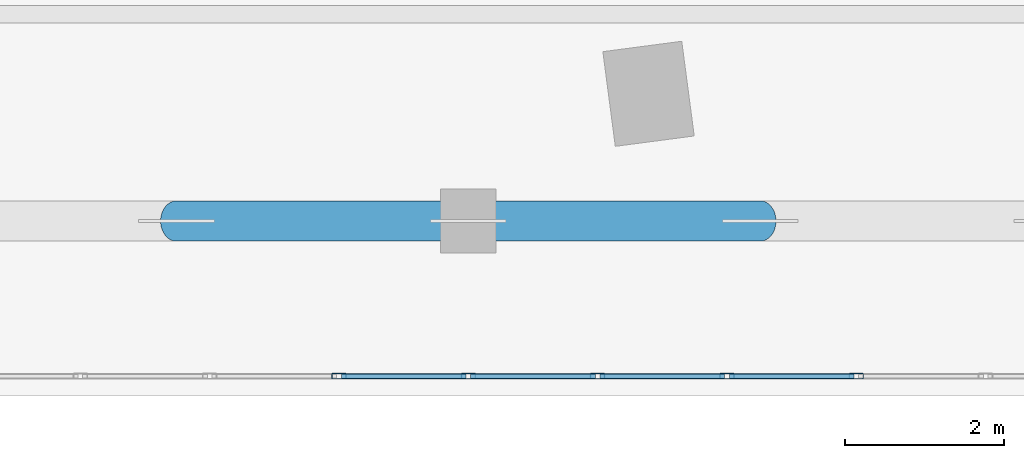
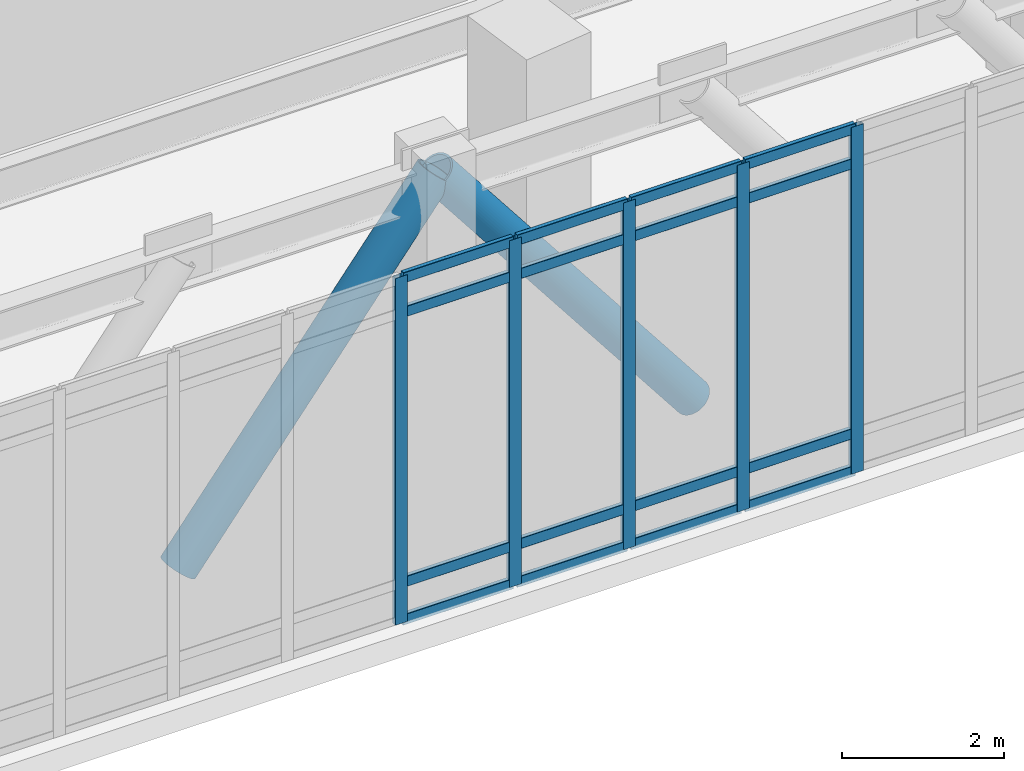
# One storey, part 4 of 19: 23 members, 1 element without a shape of its own.
"""IFC4 building model written with IfcOpenShell, lengths in metres."""

from ifc_helpers import new_model, si_unit, direction, frame, origin, origin_2d, place, context, subcontext, project, spatial, hollow_rectangle, hollow_circle, extrude, material, layer, layer_set, material_profile, profile_set, type_object, element, aggregate, save


model = new_model("IFC4")

# Units and contexts
model_context = context("Model", 3, precision=1e-05, world=origin(), true_north=direction((0.0, 1.0)))
body_context = subcontext(model_context, "Body", "Model", "MODEL_VIEW")
ifc_project = project(units=[si_unit("LENGTHUNIT", "METRE"), si_unit("AREAUNIT", "SQUARE_METRE"), si_unit("VOLUMEUNIT", "CUBIC_METRE"), si_unit("PLANEANGLEUNIT", "RADIAN"), si_unit("MASSUNIT", "GRAM", prefix="KILO")], contexts=[model_context])

# Site, building, storey
site_placement = place(None, origin())
site = spatial("IfcSite", under=ifc_project, at=site_placement, CompositionType="ELEMENT")
building_placement = place(site_placement, origin())
building = spatial("IfcBuilding", under=site, at=building_placement, Name="Ndelora Gate Hotel", CompositionType="ELEMENT")
storey_placement = place(building_placement, frame((0.0, 0.0, 16.0)))
storey = spatial("IfcBuildingStorey", under=building, at=storey_placement, Name="L03", CompositionType="ELEMENT", Elevation=16.0)

# Curtain wall, members
ifc_material_1 = material(Name="Bronze Anodised Unitised Aluminium and Low-E Glass", Category="aluminium")
ifc_layer = layer(ifc_material_1, 0.219970703125)
ifc_layer_set = layer_set([ifc_layer], Name="Bronze Anodised Unitised Aluminium and Low-E Glass")
curtain_wall_type = type_object("IfcCurtainWallType", Name="CW-SYS-2", PredefinedType="NOTDEFINED", material=ifc_layer_set)
curtain_wall_placement = place(storey_placement, origin())
curtain_wall = element("IfcCurtainWall", 1, at=curtain_wall_placement, inside=storey, type_object=curtain_wall_type, Name="L03 South Podium Foyer Curtain Wall CW2", PredefinedType="NOTDEFINED")
ifc_material_2 = material(Name="Bronze Anodised Aluminium 6063-T6", Category="aluminium")
ifc_material_profile_1 = material_profile(ifc_material_2, hollow_rectangle(XDim=0.070068359375, YDim=0.179931640625, WallThickness=0.0048828125, InnerFilletRadius=0.0048828125, OuterFilletRadius=0.010009765625, at=origin_2d()), Name="ALU 180x70x5")
ifc_profile_set_1 = profile_set([ifc_material_profile_1], Name="Bronze Anodised Aluminium 6063-T6")
member_type_1 = type_object("IfcMemberType", Name="MB-CW-MUL180", PredefinedType="MULLION", material=ifc_profile_set_1)
member_1_placement = place(storey_placement, frame((-1.625, -20.75, -0.00390625), z_axis=(0.0, 0.0, 1.0), x_axis=(0.0, 1.0, 0.0)))
member_1 = element("IfcMember", 2, at=member_1_placement, type_object=member_type_1, Name="CW2 mullion 6", PredefinedType="MULLION", context=body_context, shape_type="SweptSolid", body=[
    extrude(hollow_rectangle(XDim=0.070068359375, YDim=0.179931640625, WallThickness=0.0048828125, InnerFilletRadius=0.0048828125, OuterFilletRadius=0.010009765625, at=origin_2d()), origin(), (0.0, 0.0, 1.0), 5.22802734375),
])
member_2_placement = place(storey_placement, frame((0.0, -20.75, -0.00390625), z_axis=(0.0, 0.0, 1.0), x_axis=(0.0, 1.0, 0.0)))
member_2 = element("IfcMember", 3, at=member_2_placement, type_object=member_type_1, Name="CW2 mullion 7", PredefinedType="MULLION", context=body_context, shape_type="SweptSolid", body=[
    extrude(hollow_rectangle(XDim=0.070068359375, YDim=0.179931640625, WallThickness=0.0048828125, InnerFilletRadius=0.0048828125, OuterFilletRadius=0.010009765625, at=origin_2d()), origin(), (0.0, 0.0, 1.0), 5.22802734375),
])
member_3_placement = place(storey_placement, frame((1.625, -20.75, -0.00390625), z_axis=(0.0, 0.0, 1.0), x_axis=(0.0, 1.0, 0.0)))
member_3 = element("IfcMember", 4, at=member_3_placement, type_object=member_type_1, Name="CW2 mullion 8", PredefinedType="MULLION", context=body_context, shape_type="SweptSolid", body=[
    extrude(hollow_rectangle(XDim=0.070068359375, YDim=0.179931640625, WallThickness=0.0048828125, InnerFilletRadius=0.0048828125, OuterFilletRadius=0.010009765625, at=origin_2d()), origin(), (0.0, 0.0, 1.0), 5.22802734375),
])
member_4_placement = place(storey_placement, frame((3.25, -20.75, -0.00390625), z_axis=(0.0, 0.0, 1.0), x_axis=(0.0, 1.0, 0.0)))
member_4 = element("IfcMember", 5, at=member_4_placement, type_object=member_type_1, Name="CW2 mullion 9", PredefinedType="MULLION", context=body_context, shape_type="SweptSolid", body=[
    extrude(hollow_rectangle(XDim=0.070068359375, YDim=0.179931640625, WallThickness=0.0048828125, InnerFilletRadius=0.0048828125, OuterFilletRadius=0.010009765625, at=origin_2d()), origin(), (0.0, 0.0, 1.0), 5.22802734375),
])
member_5_placement = place(storey_placement, frame((4.875, -20.75, -0.00390625), z_axis=(0.0, 0.0, 1.0), x_axis=(0.0, 1.0, 0.0)))
member_5 = element("IfcMember", 6, at=member_5_placement, type_object=member_type_1, Name="CW2 mullion 10", PredefinedType="MULLION", context=body_context, shape_type="SweptSolid", body=[
    extrude(hollow_rectangle(XDim=0.070068359375, YDim=0.179931640625, WallThickness=0.0048828125, InnerFilletRadius=0.0048828125, OuterFilletRadius=0.010009765625, at=origin_2d()), origin(), (0.0, 0.0, 1.0), 5.22802734375),
])
ifc_material_profile_2 = material_profile(ifc_material_2, hollow_rectangle(XDim=0.06494140625, YDim=0.159912109375, WallThickness=0.00390625, InnerFilletRadius=0.00390625, OuterFilletRadius=0.008056640625, at=origin_2d()), Name="ALU 160x65x4")
ifc_profile_set_2 = profile_set([ifc_material_profile_2], Name="Bronze Anodised Aluminium 6063-T6")
member_type_2 = type_object("IfcMemberType", Name="MB-CW-TRN150", PredefinedType="USERDEFINED", material=ifc_profile_set_2)
member_6_placement = place(storey_placement, frame((-1.595947265625, -20.75, 0.032470703125), z_axis=(1.0, 0.0, 0.0), x_axis=(0.0, 1.0, 0.0)))
member_6 = element("IfcMember", 7, at=member_6_placement, type_object=member_type_2, Name="CW2 transom 6.1", ObjectType="TRANSOM", PredefinedType="USERDEFINED", context=body_context, shape_type="SweptSolid", body=[
    extrude(hollow_rectangle(XDim=0.06494140625, YDim=0.159912109375, WallThickness=0.00390625, InnerFilletRadius=0.00390625, OuterFilletRadius=0.008056640625, at=origin_2d()), origin(), (0.0, 0.0, 1.0), 1.56689453125),
])
member_7_placement = place(storey_placement, frame((-1.595947265625, -20.75, 0.60009765625), z_axis=(1.0, 0.0, 0.0), x_axis=(0.0, 1.0, 0.0)))
member_7 = element("IfcMember", 8, at=member_7_placement, type_object=member_type_2, Name="CW2 transom 6.2", ObjectType="TRANSOM", PredefinedType="USERDEFINED", context=body_context, shape_type="SweptSolid", body=[
    extrude(hollow_rectangle(XDim=0.06494140625, YDim=0.159912109375, WallThickness=0.00390625, InnerFilletRadius=0.00390625, OuterFilletRadius=0.008056640625, at=origin_2d()), origin(), (0.0, 0.0, 1.0), 1.56689453125),
])
member_8_placement = place(storey_placement, frame((-1.595947265625, -20.75, 4.669921875), z_axis=(1.0, 0.0, 0.0), x_axis=(0.0, 1.0, 0.0)))
member_8 = element("IfcMember", 9, at=member_8_placement, type_object=member_type_2, Name="CW2 transom 6.3", ObjectType="TRANSOM", PredefinedType="USERDEFINED", context=body_context, shape_type="SweptSolid", body=[
    extrude(hollow_rectangle(XDim=0.06494140625, YDim=0.159912109375, WallThickness=0.00390625, InnerFilletRadius=0.00390625, OuterFilletRadius=0.008056640625, at=origin_2d()), origin(), (0.0, 0.0, 1.0), 1.56689453125),
])
member_9_placement = place(storey_placement, frame((-1.595947265625, -20.75, 5.1875), z_axis=(1.0, 0.0, 0.0), x_axis=(0.0, 1.0, 0.0)))
member_9 = element("IfcMember", 10, at=member_9_placement, type_object=member_type_2, Name="CW2 transom 6.4", ObjectType="TRANSOM", PredefinedType="USERDEFINED", context=body_context, shape_type="SweptSolid", body=[
    extrude(hollow_rectangle(XDim=0.06494140625, YDim=0.159912109375, WallThickness=0.00390625, InnerFilletRadius=0.00390625, OuterFilletRadius=0.008056640625, at=origin_2d()), origin(), (0.0, 0.0, 1.0), 1.56689453125),
])
member_10_placement = place(storey_placement, frame((0.029052734375, -20.75, 0.032470703125), z_axis=(1.0, 0.0, 0.0), x_axis=(0.0, 1.0, 0.0)))
member_10 = element("IfcMember", 11, at=member_10_placement, type_object=member_type_2, Name="CW2 transom 7.1", ObjectType="TRANSOM", PredefinedType="USERDEFINED", context=body_context, shape_type="SweptSolid", body=[
    extrude(hollow_rectangle(XDim=0.06494140625, YDim=0.159912109375, WallThickness=0.00390625, InnerFilletRadius=0.00390625, OuterFilletRadius=0.008056640625, at=origin_2d()), origin(), (0.0, 0.0, 1.0), 1.56689453125),
])
member_11_placement = place(storey_placement, frame((0.029052734375, -20.75, 0.60009765625), z_axis=(1.0, 0.0, 0.0), x_axis=(0.0, 1.0, 0.0)))
member_11 = element("IfcMember", 12, at=member_11_placement, type_object=member_type_2, Name="CW2 transom 7.2", ObjectType="TRANSOM", PredefinedType="USERDEFINED", context=body_context, shape_type="SweptSolid", body=[
    extrude(hollow_rectangle(XDim=0.06494140625, YDim=0.159912109375, WallThickness=0.00390625, InnerFilletRadius=0.00390625, OuterFilletRadius=0.008056640625, at=origin_2d()), origin(), (0.0, 0.0, 1.0), 1.56689453125),
])
member_12_placement = place(storey_placement, frame((0.029052734375, -20.75, 4.669921875), z_axis=(1.0, 0.0, 0.0), x_axis=(0.0, 1.0, 0.0)))
member_12 = element("IfcMember", 13, at=member_12_placement, type_object=member_type_2, Name="CW2 transom 7.3", ObjectType="TRANSOM", PredefinedType="USERDEFINED", context=body_context, shape_type="SweptSolid", body=[
    extrude(hollow_rectangle(XDim=0.06494140625, YDim=0.159912109375, WallThickness=0.00390625, InnerFilletRadius=0.00390625, OuterFilletRadius=0.008056640625, at=origin_2d()), origin(), (0.0, 0.0, 1.0), 1.56689453125),
])
member_13_placement = place(storey_placement, frame((0.029052734375, -20.75, 5.1875), z_axis=(1.0, 0.0, 0.0), x_axis=(0.0, 1.0, 0.0)))
member_13 = element("IfcMember", 14, at=member_13_placement, type_object=member_type_2, Name="CW2 transom 7.4", ObjectType="TRANSOM", PredefinedType="USERDEFINED", context=body_context, shape_type="SweptSolid", body=[
    extrude(hollow_rectangle(XDim=0.06494140625, YDim=0.159912109375, WallThickness=0.00390625, InnerFilletRadius=0.00390625, OuterFilletRadius=0.008056640625, at=origin_2d()), origin(), (0.0, 0.0, 1.0), 1.56689453125),
])
member_14_placement = place(storey_placement, frame((1.654052734375, -20.75, 0.032470703125), z_axis=(1.0, 0.0, 0.0), x_axis=(0.0, 1.0, 0.0)))
member_14 = element("IfcMember", 15, at=member_14_placement, type_object=member_type_2, Name="CW2 transom 8.1", ObjectType="TRANSOM", PredefinedType="USERDEFINED", context=body_context, shape_type="SweptSolid", body=[
    extrude(hollow_rectangle(XDim=0.06494140625, YDim=0.159912109375, WallThickness=0.00390625, InnerFilletRadius=0.00390625, OuterFilletRadius=0.008056640625, at=origin_2d()), origin(), (0.0, 0.0, 1.0), 1.56689453125),
])
member_15_placement = place(storey_placement, frame((1.654052734375, -20.75, 0.60009765625), z_axis=(1.0, 0.0, 0.0), x_axis=(0.0, 1.0, 0.0)))
member_15 = element("IfcMember", 16, at=member_15_placement, type_object=member_type_2, Name="CW2 transom 8.2", ObjectType="TRANSOM", PredefinedType="USERDEFINED", context=body_context, shape_type="SweptSolid", body=[
    extrude(hollow_rectangle(XDim=0.06494140625, YDim=0.159912109375, WallThickness=0.00390625, InnerFilletRadius=0.00390625, OuterFilletRadius=0.008056640625, at=origin_2d()), origin(), (0.0, 0.0, 1.0), 1.56689453125),
])
member_16_placement = place(storey_placement, frame((1.654052734375, -20.75, 4.669921875), z_axis=(1.0, 0.0, 0.0), x_axis=(0.0, 1.0, 0.0)))
member_16 = element("IfcMember", 17, at=member_16_placement, type_object=member_type_2, Name="CW2 transom 8.3", ObjectType="TRANSOM", PredefinedType="USERDEFINED", context=body_context, shape_type="SweptSolid", body=[
    extrude(hollow_rectangle(XDim=0.06494140625, YDim=0.159912109375, WallThickness=0.00390625, InnerFilletRadius=0.00390625, OuterFilletRadius=0.008056640625, at=origin_2d()), origin(), (0.0, 0.0, 1.0), 1.56689453125),
])
member_17_placement = place(storey_placement, frame((1.654052734375, -20.75, 5.1875), z_axis=(1.0, 0.0, 0.0), x_axis=(0.0, 1.0, 0.0)))
member_17 = element("IfcMember", 18, at=member_17_placement, type_object=member_type_2, Name="CW2 transom 8.4", ObjectType="TRANSOM", PredefinedType="USERDEFINED", context=body_context, shape_type="SweptSolid", body=[
    extrude(hollow_rectangle(XDim=0.06494140625, YDim=0.159912109375, WallThickness=0.00390625, InnerFilletRadius=0.00390625, OuterFilletRadius=0.008056640625, at=origin_2d()), origin(), (0.0, 0.0, 1.0), 1.56689453125),
])
member_18_placement = place(storey_placement, frame((3.279052734375, -20.75, 0.032470703125), z_axis=(1.0, 0.0, 0.0), x_axis=(0.0, 1.0, 0.0)))
member_18 = element("IfcMember", 19, at=member_18_placement, type_object=member_type_2, Name="CW2 transom 9.1", ObjectType="TRANSOM", PredefinedType="USERDEFINED", context=body_context, shape_type="SweptSolid", body=[
    extrude(hollow_rectangle(XDim=0.06494140625, YDim=0.159912109375, WallThickness=0.00390625, InnerFilletRadius=0.00390625, OuterFilletRadius=0.008056640625, at=origin_2d()), origin(), (0.0, 0.0, 1.0), 1.56689453125),
])
member_19_placement = place(storey_placement, frame((3.279052734375, -20.75, 0.60009765625), z_axis=(1.0, 0.0, 0.0), x_axis=(0.0, 1.0, 0.0)))
member_19 = element("IfcMember", 20, at=member_19_placement, type_object=member_type_2, Name="CW2 transom 9.2", ObjectType="TRANSOM", PredefinedType="USERDEFINED", context=body_context, shape_type="SweptSolid", body=[
    extrude(hollow_rectangle(XDim=0.06494140625, YDim=0.159912109375, WallThickness=0.00390625, InnerFilletRadius=0.00390625, OuterFilletRadius=0.008056640625, at=origin_2d()), origin(), (0.0, 0.0, 1.0), 1.56689453125),
])
member_20_placement = place(storey_placement, frame((3.279052734375, -20.75, 4.669921875), z_axis=(1.0, 0.0, 0.0), x_axis=(0.0, 1.0, 0.0)))
member_20 = element("IfcMember", 21, at=member_20_placement, type_object=member_type_2, Name="CW2 transom 9.3", ObjectType="TRANSOM", PredefinedType="USERDEFINED", context=body_context, shape_type="SweptSolid", body=[
    extrude(hollow_rectangle(XDim=0.06494140625, YDim=0.159912109375, WallThickness=0.00390625, InnerFilletRadius=0.00390625, OuterFilletRadius=0.008056640625, at=origin_2d()), origin(), (0.0, 0.0, 1.0), 1.56689453125),
])
member_21_placement = place(storey_placement, frame((3.279052734375, -20.75, 5.1875), z_axis=(1.0, 0.0, 0.0), x_axis=(0.0, 1.0, 0.0)))
member_21 = element("IfcMember", 22, at=member_21_placement, type_object=member_type_2, Name="CW2 transom 9.4", ObjectType="TRANSOM", PredefinedType="USERDEFINED", context=body_context, shape_type="SweptSolid", body=[
    extrude(hollow_rectangle(XDim=0.06494140625, YDim=0.159912109375, WallThickness=0.00390625, InnerFilletRadius=0.00390625, OuterFilletRadius=0.008056640625, at=origin_2d()), origin(), (0.0, 0.0, 1.0), 1.56689453125),
])
aggregate(curtain_wall, [member_1, member_2, member_3, member_4, member_5, member_6, member_7, member_8, member_9, member_10, member_11, member_12, member_13, member_14, member_15, member_16, member_17, member_18, member_19, member_20, member_21])

# Members
ifc_material_3 = material(Name="Steel S460", Category="steel")
ifc_material_profile_3 = material_profile(ifc_material_3, hollow_circle(Radius=0.25390625, WallThickness=0.028076171875, at=origin_2d()), Name="CHS 508x28")
ifc_profile_set_3 = profile_set([ifc_material_profile_3], Name="Steel S460")
member_type_3 = type_object("IfcMemberType", Name="MB-OUT-508", PredefinedType="BRACE", material=ifc_profile_set_3)
for number, where, z_axis, x_axis, name in (
    (23, (-3.666748046875, -18.800048828125, 0.35009765625), (0.61511378827, 0.0, 0.788438347292), (0.0, 1.0, 0.0), "L03 Portal Arch Crown Transfer Diagonal S-3"),
    (24, (0.0, -18.800048828125, 5.050048828125), (0.61511378827, 0.0, -0.788438347292), (0.0, 1.0, 0.0), "L03 Portal Arch Crown Transfer Diagonal S-4"),
):
    element("IfcMember", number, at=place(storey_placement, frame(where, z_axis=z_axis, x_axis=x_axis)), inside=storey, type_object=member_type_3, Name=name, PredefinedType="BRACE", context=body_context, shape_type="SweptSolid", body=[
        extrude(hollow_circle(Radius=0.25390625, WallThickness=0.028076171875, at=origin_2d()), origin(), (0.0, 0.0, 1.0), 5.961181640625),
    ])

save(model, "model.ifc")
